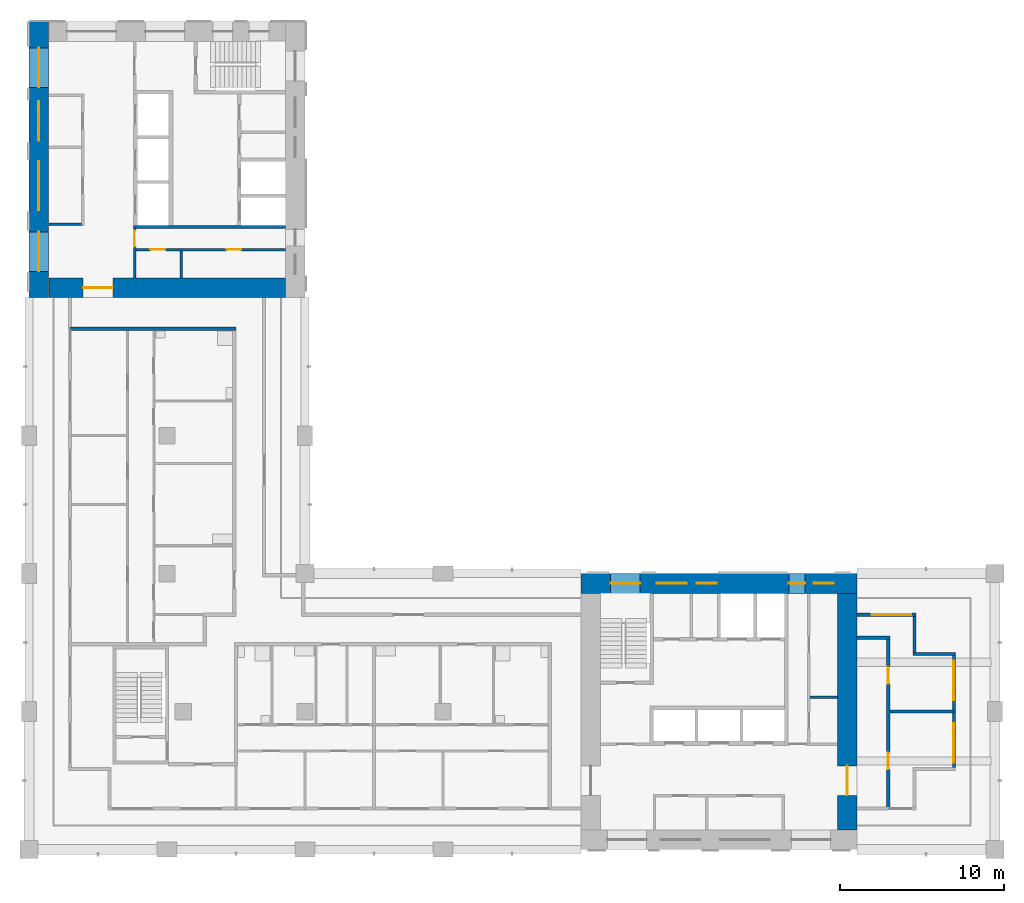
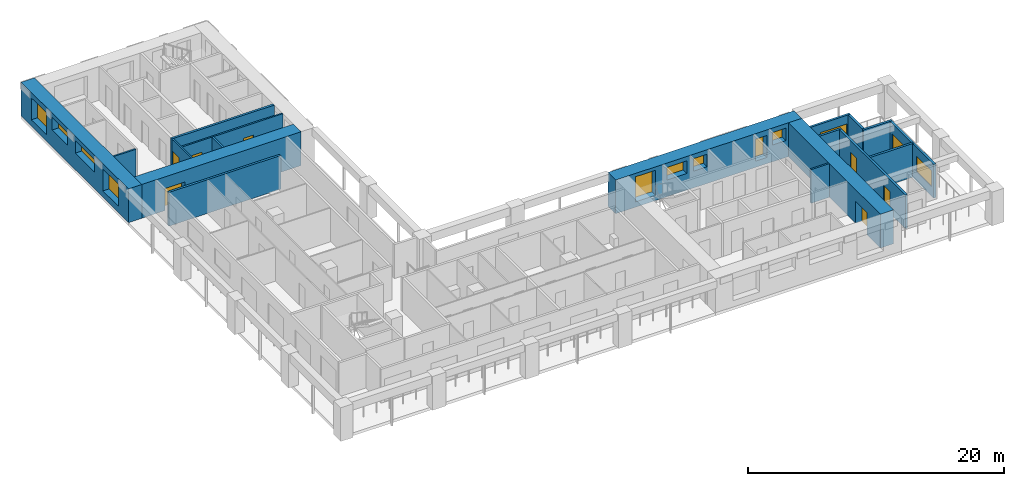
# One storey, part 5 of 11: 18 walls, 11 windows, 8 doors, 19 openings.
"""IFC4 building model written with IfcOpenShell, lengths in metres."""

from ifc_helpers import new_model, si_unit, direction, frame, frame_2d, origin, place, context, subcontext, project, spatial, rectangle, extrude, material, layer, layer_set, type_object, element, fill, save


model = new_model("IFC4")

# Units and contexts
model_context = context("Model", 3, precision=1e-05, world=origin(), true_north=direction((0.0, 1.0)))
body_context = subcontext(model_context, "Body", "Model", "MODEL_VIEW")
ifc_project = project(units=[si_unit("LENGTHUNIT", "METRE"), si_unit("AREAUNIT", "SQUARE_METRE"), si_unit("VOLUMEUNIT", "CUBIC_METRE"), si_unit("PLANEANGLEUNIT", "RADIAN"), si_unit("MASSUNIT", "GRAM", prefix="KILO")], contexts=[model_context])

# Site, building, storey
site_placement = place(None, origin())
site = spatial("IfcSite", under=ifc_project, at=site_placement, CompositionType="ELEMENT")
building_placement = place(site_placement, origin())
building = spatial("IfcBuilding", under=site, at=building_placement, Name="Vermilion Gate Residences", CompositionType="ELEMENT")
storey_placement = place(building_placement, frame((0.0, 0.0, 200.199951171875)))
storey = spatial("IfcBuildingStorey", under=building, at=storey_placement, Name="L52", CompositionType="ELEMENT", Elevation=200.199951171875)

# Walls
ifc_material_1 = material(Name="Masonry blockwork", Category="masonry")
ifc_layer_1 = layer(ifc_material_1, 0.14990234375)
ifc_layer_set_1 = layer_set([ifc_layer_1], Name="BLOCKWORK PARTITION 150 EI 120")
wall_type_1 = type_object("IfcWallType", Name="BLOCKWORK PARTITION 150 EI 120", PredefinedType="PARTITIONING", material=ifc_layer_set_1)
wall_1_placement = place(storey_placement, frame((55.949951171875, 17.659912109375, 0.0), z_axis=(0.0, 0.0, 1.0), x_axis=(1.0, 0.0, 0.0)))
element("IfcWall", 1, at=wall_1_placement, inside=storey, type_object=wall_type_1, Name="Core room partition A52-ES-P0", PredefinedType="PARTITIONING", context=body_context, shape_type="SweptSolid", body=[
    extrude(rectangle(XDim=1.650146484375, YDim=0.14990234375, at=frame_2d((0.8251953125, 0.0))), origin(), (0.0, 0.0, 1.0), 3.219970703125),
])
wall_2_placement = place(storey_placement, frame((9.60009765625, 46.47509765625, 0.0), z_axis=(0.0, 0.0, 1.0), x_axis=(1.0, 0.0, 0.0)))
element("IfcWall", 2, at=wall_2_placement, inside=storey, type_object=wall_type_1, Name="Core room partition B52-RW-E", PredefinedType="PARTITIONING", context=body_context, shape_type="SweptSolid", body=[
    extrude(rectangle(XDim=2.0, YDim=0.14990234375, at=frame_2d((1.0, 0.0))), origin(), (0.0, 0.0, 1.0), 3.219970703125),
])

# Wall, opening, door
wall_3_placement = place(storey_placement, frame((14.824951171875, 46.199951171875, 0.0), z_axis=(0.0, 0.0, 1.0), x_axis=(0.0, -1.0, 0.0)))
wall_3 = element("IfcWall", 3, at=wall_3_placement, inside=storey, type_object=wall_type_1, Name="Core room partition B52-ES-S", PredefinedType="PARTITIONING", context=body_context, shape_type="SweptSolid", body=[
    extrude(rectangle(XDim=3.0, YDim=0.14990234375, at=frame_2d((1.5, 0.0))), origin(), (0.0, 0.0, 1.0), 3.219970703125),
])
opening_1_placement = place(wall_3_placement, frame((0.10009765625, 0.0, 0.0)))
opening_1 = element("IfcOpeningElement", 4, at=opening_1_placement, cuts=wall_3, Name="Opening DK52113", PredefinedType="OPENING", context=body_context, shape_type="SweptSolid", body=[
    extrude(rectangle(XDim=1.0, YDim=2.10009765625, at=frame_2d((0.5, 1.050048828125))), frame((0.0, 0.0849609375, 0.0), z_axis=(0.0, -1.0, 0.0), x_axis=(1.0, 0.0, 0.0)), (0.0, 0.0, 1.0), 0.169921875),
])
ifc_material_2 = material(Name="Steel", Category="steel")
door_type_1 = type_object("IfcDoorType", Name="FIRE DOOR FD60 1000 X 2100", OperationType="SINGLE_SWING_LEFT", PredefinedType="DOOR", material=ifc_material_2)
door_1_placement = place(opening_1_placement, frame((1.0, 0.0, 0.0), z_axis=(0.0, 0.0, 1.0), x_axis=(-1.0, 0.0, 0.0)))
door_1 = element("IfcDoor", 5, at=door_1_placement, inside=storey, type_object=door_type_1, Name="Service corridor door B52", OperationType="SINGLE_SWING_LEFT", OverallHeight=2.10009765625, OverallWidth=1.0, PredefinedType="DOOR", context=body_context, shape_type="SweptSolid", body=[
    extrude(rectangle(XDim=1.0, YDim=2.10009765625, at=frame_2d((0.5, 1.050048828125))), frame((0.0, 0.02490234375, 0.0), z_axis=(0.0, -1.0, 0.0), x_axis=(1.0, 0.0, 0.0)), (0.0, 0.0, 1.0), 0.050048828125),
])
fill(opening_1, door_1)

# Wall
wall_4_placement = place(storey_placement, frame((17.659912109375, 44.85009765625, 0.0), z_axis=(0.0, 0.0, 1.0), x_axis=(0.0, -1.0, 0.0)))
element("IfcWall", 6, at=wall_4_placement, inside=storey, type_object=wall_type_1, Name="Core room partition B52-ES-P0", PredefinedType="PARTITIONING", context=body_context, shape_type="SweptSolid", body=[
    extrude(rectangle(XDim=1.650146484375, YDim=0.14990234375, at=frame_2d((0.8251953125, 0.0))), origin(), (0.0, 0.0, 1.0), 3.219970703125),
])

# Wall, openings, doors
wall_5_placement = place(storey_placement, frame((14.89990234375, 44.925048828125, 0.0), z_axis=(0.0, 0.0, 1.0), x_axis=(1.0, 0.0, 0.0)))
wall_5 = element("IfcWall", 7, at=wall_5_placement, inside=storey, type_object=wall_type_1, Name="Core room partition B52-ES-W", PredefinedType="PARTITIONING", context=body_context, shape_type="SweptSolid", body=[
    extrude(rectangle(XDim=9.10009765625, YDim=0.14990234375, at=frame_2d((4.550048828125, 0.0))), origin(), (0.0, 0.0, 1.0), 3.219970703125),
])
opening_2_placement = place(wall_5_placement, frame((0.892578125, 0.0, 0.0)))
opening_2 = element("IfcOpeningElement", 8, at=opening_2_placement, cuts=wall_5, Name="Opening DK52114", PredefinedType="OPENING", context=body_context, shape_type="SweptSolid", body=[
    extrude(rectangle(XDim=0.89990234375, YDim=2.10009765625, at=frame_2d((0.449951171875, 1.050048828125))), frame((0.0, 0.0849609375, 0.0), z_axis=(0.0, -1.0, 0.0), x_axis=(1.0, 0.0, 0.0)), (0.0, 0.0, 1.0), 0.169921875),
])
opening_3_placement = place(wall_5_placement, frame((5.517578125, 0.0, 0.0)))
opening_3 = element("IfcOpeningElement", 9, at=opening_3_placement, cuts=wall_5, Name="Opening DK52115", PredefinedType="OPENING", context=body_context, shape_type="SweptSolid", body=[
    extrude(rectangle(XDim=0.89990234375, YDim=2.10009765625, at=frame_2d((0.449951171875, 1.050048828125))), frame((0.0, 0.0849609375, 0.0), z_axis=(0.0, -1.0, 0.0), x_axis=(1.0, 0.0, 0.0)), (0.0, 0.0, 1.0), 0.169921875),
])
ifc_material_3 = material(Name="Steel", Category="steel")
door_type_2 = type_object("IfcDoorType", Name="SERVICE ROOM DOOR FD60 900 X 2100", OperationType="SINGLE_SWING_LEFT", PredefinedType="DOOR", material=ifc_material_3)
door_2_placement = place(opening_2_placement, frame((0.89990234375, 0.0, 0.0), z_axis=(0.0, 0.0, 1.0), x_axis=(-1.0, 0.0, 0.0)))
door_2 = element("IfcDoor", 10, at=door_2_placement, inside=storey, type_object=door_type_2, Name="Parcel room B52", OperationType="SINGLE_SWING_RIGHT", OverallHeight=2.10009765625, OverallWidth=0.89990234375, PredefinedType="DOOR", context=body_context, shape_type="SweptSolid", body=[
    extrude(rectangle(XDim=0.89990234375, YDim=2.10009765625, at=frame_2d((0.449951171875, 1.050048828125))), frame((0.0, 0.02490234375, 0.0), z_axis=(0.0, -1.0, 0.0), x_axis=(1.0, 0.0, 0.0)), (0.0, 0.0, 1.0), 0.050048828125),
])
fill(opening_2, door_2)
door_3_placement = place(opening_3_placement, frame((0.89990234375, 0.0, 0.0), z_axis=(0.0, 0.0, 1.0), x_axis=(-1.0, 0.0, 0.0)))
door_3 = element("IfcDoor", 11, at=door_3_placement, inside=storey, type_object=door_type_2, Name="Cleaner's store B52", OperationType="SINGLE_SWING_LEFT", OverallHeight=2.10009765625, OverallWidth=0.89990234375, PredefinedType="DOOR", context=body_context, shape_type="SweptSolid", body=[
    extrude(rectangle(XDim=0.89990234375, YDim=2.10009765625, at=frame_2d((0.449951171875, 1.050048828125))), frame((0.0, 0.02490234375, 0.0), z_axis=(0.0, -1.0, 0.0), x_axis=(1.0, 0.0, 0.0)), (0.0, 0.0, 1.0), 0.050048828125),
])
fill(opening_3, door_3)

# Wall, openings, door, window
ifc_material_4 = material(Name="Insulated steel stud wall with terracotta rainscreen", Category="masonry")
ifc_layer_2 = layer(ifc_material_4, 0.199951171875)
ifc_layer_set_2 = layer_set([ifc_layer_2], Name="EXTERNAL WALL 200 TERRACOTTA RAINSCREEN")
wall_type_2 = type_object("IfcWallType", Name="EXTERNAL WALL 200 TERRACOTTA RAINSCREEN", PredefinedType="SOLIDWALL", material=ifc_layer_set_2)
wall_6_placement = place(storey_placement, frame((64.699951171875, 13.39990234375, 0.0), z_axis=(0.0, 0.0, 1.0), x_axis=(0.0, 1.0, 0.0)))
wall_6 = element("IfcWall", 12, at=wall_6_placement, inside=storey, type_object=wall_type_2, Name="External wall", PredefinedType="SOLIDWALL", context=body_context, shape_type="SweptSolid", body=[
    extrude(rectangle(XDim=6.800048828125, YDim=0.199951171875, at=frame_2d((3.39990234375, 0.0))), origin(), (0.0, 0.0, 1.0), 3.219970703125),
])
opening_4_placement = place(wall_6_placement, frame((0.300048828125, 0.0, 0.89990234375)))
opening_4 = element("IfcOpeningElement", 13, at=opening_4_placement, cuts=wall_6, Name="Opening WE52016", PredefinedType="OPENING", context=body_context, shape_type="SweptSolid", body=[
    extrude(rectangle(XDim=2.39990234375, YDim=1.5, at=frame_2d((1.199951171875, 0.75))), frame((0.0, 0.10986328125, 0.0), z_axis=(0.0, -1.0, 0.0), x_axis=(1.0, 0.0, 0.0)), (0.0, 0.0, 1.0), 0.219970703125),
])
opening_5_placement = place(wall_6_placement, frame((4.10009765625, 0.0, 0.0)))
opening_5 = element("IfcOpeningElement", 14, at=opening_5_placement, cuts=wall_6, Name="Opening DE52019", PredefinedType="OPENING", context=body_context, shape_type="SweptSolid", body=[
    extrude(rectangle(XDim=2.39990234375, YDim=2.199951171875, at=frame_2d((1.199951171875, 1.10009765625))), frame((0.0, 0.10986328125, 0.0), z_axis=(0.0, -1.0, 0.0), x_axis=(1.0, 0.0, 0.0)), (0.0, 0.0, 1.0), 0.219970703125),
])
ifc_material_5 = material(Name="Aluminium and clear glass", Category="aluminium")
door_type_3 = type_object("IfcDoorType", Name="SLIDING GLAZED DOOR 2400 X 2200", OperationType="DOUBLE_DOOR_SLIDING", PredefinedType="DOOR", material=ifc_material_5)
door_4_placement = place(opening_5_placement, origin())
door_4 = element("IfcDoor", 15, at=door_4_placement, inside=storey, type_object=door_type_3, Name="Loggia sliding door", OperationType="DOUBLE_DOOR_SLIDING", OverallHeight=2.199951171875, OverallWidth=2.39990234375, PredefinedType="DOOR", context=body_context, shape_type="SweptSolid", body=[
    extrude(rectangle(XDim=2.39990234375, YDim=2.199951171875, at=frame_2d((1.199951171875, 1.10009765625))), frame((0.0, 0.02490234375, 0.0), z_axis=(0.0, -1.0, 0.0), x_axis=(1.0, 0.0, 0.0)), (0.0, 0.0, 1.0), 0.050048828125),
])
fill(opening_5, door_4)
ifc_material_6 = material(Name="Aluminium and clear glass", Category="aluminium")
window_type_1 = type_object("IfcWindowType", Name="WINDOW 2400 X 1500", PartitioningType="SINGLE_PANEL", PredefinedType="WINDOW", material=ifc_material_6)
window_1_placement = place(opening_4_placement, origin())
window_1 = element("IfcWindow", 16, at=window_1_placement, inside=storey, type_object=window_type_1, Name="Window", OverallHeight=1.5, OverallWidth=2.39990234375, PartitioningType="SINGLE_PANEL", PredefinedType="WINDOW", context=body_context, shape_type="SweptSolid", body=[
    extrude(rectangle(XDim=2.39990234375, YDim=1.5, at=frame_2d((1.199951171875, 0.75))), frame((0.0, 0.030029296875, 0.0), z_axis=(0.0, -1.0, 0.0), x_axis=(1.0, 0.0, 0.0)), (0.0, 0.0, 1.0), 0.06005859375),
])
fill(opening_4, window_1)

# Walls
wall_7_placement = place(storey_placement, frame((64.800048828125, 20.300048828125, 0.0), z_axis=(0.0, 0.0, 1.0), x_axis=(-1.0, 0.0, 0.0)))
element("IfcWall", 17, at=wall_7_placement, inside=storey, type_object=wall_type_2, Name="External wall", PredefinedType="SOLIDWALL", context=body_context, shape_type="SweptSolid", body=[
    extrude(rectangle(XDim=2.60009765625, YDim=0.199951171875, at=frame_2d((1.300048828125, 0.0))), origin(), (0.0, 0.0, 1.0), 3.219970703125),
])
wall_8_placement = place(storey_placement, frame((62.300048828125, 20.39990234375, 0.0), z_axis=(0.0, 0.0, 1.0), x_axis=(0.0, 1.0, 0.0)))
element("IfcWall", 18, at=wall_8_placement, inside=storey, type_object=wall_type_2, Name="External wall", PredefinedType="SOLIDWALL", context=body_context, shape_type="SweptSolid", body=[
    extrude(rectangle(XDim=2.2001953125, YDim=0.199951171875, at=frame_2d((1.10009765625, 0.0))), origin(), (0.0, 0.0, 1.0), 3.219970703125),
])

# Wall, opening, window
wall_9_placement = place(storey_placement, frame((62.39990234375, 22.699951171875, 0.0), z_axis=(0.0, 0.0, 1.0), x_axis=(-1.0, 0.0, 0.0)))
wall_9 = element("IfcWall", 19, at=wall_9_placement, inside=storey, type_object=wall_type_2, Name="External wall", PredefinedType="SOLIDWALL", context=body_context, shape_type="SweptSolid", body=[
    extrude(rectangle(XDim=3.599853515625, YDim=0.199951171875, at=frame_2d((1.7998046875, 0.0))), origin(), (0.0, 0.0, 1.0), 3.219970703125),
])
opening_6_placement = place(wall_9_placement, frame((0.300048828125, 0.0, 0.89990234375)))
opening_6 = element("IfcOpeningElement", 20, at=opening_6_placement, cuts=wall_9, Name="Opening WE52018", PredefinedType="OPENING", context=body_context, shape_type="SweptSolid", body=[
    extrude(rectangle(XDim=2.39990234375, YDim=1.5, at=frame_2d((1.199951171875, 0.75))), frame((0.0, 0.10986328125, 0.0), z_axis=(0.0, -1.0, 0.0), x_axis=(1.0, 0.0, 0.0)), (0.0, 0.0, 1.0), 0.219970703125),
])
window_2_placement = place(opening_6_placement, origin())
window_2 = element("IfcWindow", 21, at=window_2_placement, inside=storey, type_object=window_type_1, Name="Window", OverallHeight=1.5, OverallWidth=2.39990234375, PartitioningType="SINGLE_PANEL", PredefinedType="WINDOW", context=body_context, shape_type="SweptSolid", body=[
    extrude(rectangle(XDim=2.39990234375, YDim=1.5, at=frame_2d((1.199951171875, 0.75))), frame((0.0, 0.030029296875, 0.0), z_axis=(0.0, -1.0, 0.0), x_axis=(1.0, 0.0, 0.0)), (0.0, 0.0, 1.0), 0.06005859375),
])
fill(opening_6, window_2)

# Walls
ifc_material_7 = material(Name="Fire-rated plasterboard on steel studs", Category="steel")
ifc_layer_3 = layer(ifc_material_7, 0.199951171875)
ifc_layer_set_3 = layer_set([ifc_layer_3], Name="PARTY WALL 200 EI 120")
wall_type_3 = type_object("IfcWallType", Name="PARTY WALL 200 EI 120", PredefinedType="PARTITIONING", material=ifc_layer_set_3)
wall_10_placement = place(storey_placement, frame((60.800048828125, 16.800048828125, 0.0), z_axis=(0.0, 0.0, 1.0), x_axis=(1.0, 0.0, 0.0)))
element("IfcWall", 22, at=wall_10_placement, inside=storey, type_object=wall_type_3, Name="Party and corridor wall", PredefinedType="PARTITIONING", context=body_context, shape_type="SweptSolid", body=[
    extrude(rectangle(XDim=3.89990234375, YDim=0.199951171875, at=frame_2d((1.949951171875, 0.0))), origin(), (0.0, 0.0, 1.0), 3.219970703125),
])
wall_11_placement = place(storey_placement, frame((58.800048828125, 21.300048828125, 0.0), z_axis=(0.0, 0.0, 1.0), x_axis=(1.0, 0.0, 0.0)))
element("IfcWall", 23, at=wall_11_placement, inside=storey, type_object=wall_type_3, Name="Party and corridor wall", PredefinedType="PARTITIONING", context=body_context, shape_type="SweptSolid", body=[
    extrude(rectangle(XDim=2.0, YDim=0.199951171875, at=frame_2d((1.0, 0.0))), origin(), (0.0, 0.0, 1.0), 3.219970703125),
])
wall_12_placement = place(storey_placement, frame((10.89990234375, 40.10009765625, 0.0), z_axis=(0.0, 0.0, 1.0), x_axis=(1.0, 0.0, 0.0)))
element("IfcWall", 24, at=wall_12_placement, inside=storey, type_object=wall_type_3, Name="Party and corridor wall", PredefinedType="PARTITIONING", context=body_context, shape_type="SweptSolid", body=[
    extrude(rectangle(XDim=10.10009765625, YDim=0.199951171875, at=frame_2d((5.050048828125, 0.0))), origin(), (0.0, 0.0, 1.0), 3.219970703125),
])

# Wall, openings, doors
wall_13_placement = place(storey_placement, frame((60.699951171875, 10.89990234375, 0.0), z_axis=(0.0, 0.0, 1.0), x_axis=(0.0, 1.0, 0.0)))
wall_13 = element("IfcWall", 25, at=wall_13_placement, inside=storey, type_object=wall_type_3, Name="Party and corridor wall", PredefinedType="PARTITIONING", context=body_context, shape_type="SweptSolid", body=[
    extrude(rectangle(XDim=10.300048828125, YDim=0.199951171875, at=frame_2d((5.14990234375, 0.0))), origin(), (0.0, 0.0, 1.0), 3.219970703125),
])
opening_7_placement = place(wall_13_placement, frame((2.39990234375, 0.0, 0.0)))
opening_7 = element("IfcOpeningElement", 26, at=opening_7_placement, cuts=wall_13, Name="Opening DA52024", PredefinedType="OPENING", context=body_context, shape_type="SweptSolid", body=[
    extrude(rectangle(XDim=1.0, YDim=2.10009765625, at=frame_2d((0.5, 1.050048828125))), frame((0.0, 0.10986328125, 0.0), z_axis=(0.0, -1.0, 0.0), x_axis=(1.0, 0.0, 0.0)), (0.0, 0.0, 1.0), 0.219970703125),
])
opening_8_placement = place(wall_13_placement, frame((7.60009765625, 0.0, 0.0)))
opening_8 = element("IfcOpeningElement", 27, at=opening_8_placement, cuts=wall_13, Name="Opening DA52025", PredefinedType="OPENING", context=body_context, shape_type="SweptSolid", body=[
    extrude(rectangle(XDim=1.0, YDim=2.10009765625, at=frame_2d((0.5, 1.050048828125))), frame((0.0, 0.10986328125, 0.0), z_axis=(0.0, -1.0, 0.0), x_axis=(1.0, 0.0, 0.0)), (0.0, 0.0, 1.0), 0.219970703125),
])
ifc_material_8 = material(Name="Steel", Category="steel")
door_type_4 = type_object("IfcDoorType", Name="ENTRANCE DOOR 1000 X 2100 FD30", OperationType="SINGLE_SWING_LEFT", PredefinedType="DOOR", material=ifc_material_8)
door_5_placement = place(opening_7_placement, frame((1.0, 0.0, 0.0), z_axis=(0.0, 0.0, 1.0), x_axis=(-1.0, 0.0, 0.0)))
door_5 = element("IfcDoor", 28, at=door_5_placement, inside=storey, type_object=door_type_4, Name="Entrance door", OperationType="SINGLE_SWING_RIGHT", OverallHeight=2.10009765625, OverallWidth=1.0, PredefinedType="DOOR", context=body_context, shape_type="SweptSolid", body=[
    extrude(rectangle(XDim=1.0, YDim=2.10009765625, at=frame_2d((0.5, 1.050048828125))), frame((0.0, 0.02490234375, 0.0), z_axis=(0.0, -1.0, 0.0), x_axis=(1.0, 0.0, 0.0)), (0.0, 0.0, 1.0), 0.050048828125),
])
fill(opening_7, door_5)
door_6_placement = place(opening_8_placement, frame((1.0, 0.0, 0.0), z_axis=(0.0, 0.0, 1.0), x_axis=(-1.0, 0.0, 0.0)))
door_6 = element("IfcDoor", 29, at=door_6_placement, inside=storey, type_object=door_type_4, Name="Entrance door", OperationType="SINGLE_SWING_RIGHT", OverallHeight=2.10009765625, OverallWidth=1.0, PredefinedType="DOOR", context=body_context, shape_type="SweptSolid", body=[
    extrude(rectangle(XDim=1.0, YDim=2.10009765625, at=frame_2d((0.5, 1.050048828125))), frame((0.0, 0.02490234375, 0.0), z_axis=(0.0, -1.0, 0.0), x_axis=(1.0, 0.0, 0.0)), (0.0, 0.0, 1.0), 0.050048828125),
])
fill(opening_8, door_6)

# Wall
ifc_material_9 = material(Name="Concrete C60", Category="concrete")
ifc_layer_4 = layer(ifc_material_9, 0.199951171875)
ifc_layer_set_4 = layer_set([ifc_layer_4], Name="RC CORE INTERNAL WALL 200 C60")
wall_type_4 = type_object("IfcWallType", Name="RC CORE INTERNAL WALL 200 C60", PredefinedType="SHEAR", material=ifc_layer_set_4)
wall_14_placement = place(storey_placement, frame((14.75, 46.300048828125, 0.0), z_axis=(0.0, 0.0, 1.0), x_axis=(1.0, 0.0, 0.0)))
element("IfcWall", 30, at=wall_14_placement, inside=storey, type_object=wall_type_4, Name="Core internal wall B52-EDIV", PredefinedType="SHEAR", context=body_context, shape_type="SweptSolid", body=[
    extrude(rectangle(XDim=9.25, YDim=0.199951171875, at=frame_2d((4.625, 0.0))), origin(), (0.0, 0.0, 1.0), 3.219970703125),
])

# Wall, opening, door
ifc_material_10 = material(Name="Concrete C60", Category="concrete")
ifc_layer_5 = layer(ifc_material_10, 1.199951171875)
ifc_layer_set_5 = layer_set([ifc_layer_5], Name="RC CORE WALL 1200 C60")
wall_type_5 = type_object("IfcWallType", Name="RC CORE WALL 1200 C60", PredefinedType="SHEAR", material=ifc_layer_set_5)
wall_15_placement = place(storey_placement, frame((58.199951171875, 9.60009765625, 0.0), z_axis=(0.0, 0.0, 1.0), x_axis=(0.0, 1.0, 0.0)))
wall_15 = element("IfcWall", 31, at=wall_15_placement, inside=storey, type_object=wall_type_5, Name="Core wall A52-OUT-BK", PredefinedType="SHEAR", context=body_context, shape_type="SweptSolid", body=[
    extrude(rectangle(XDim=14.39990234375, YDim=1.199951171875, at=frame_2d((7.199951171875, 0.0))), origin(), (0.0, 0.0, 1.0), 3.219970703125),
])
opening_9_placement = place(wall_15_placement, frame((2.10009765625, 0.0, 0.0)))
opening_9 = element("IfcOpeningElement", 32, at=opening_9_placement, cuts=wall_15, Name="Opening DK52002", PredefinedType="OPENING", context=body_context, shape_type="SweptSolid", body=[
    extrude(rectangle(XDim=1.800048828125, YDim=2.10009765625, at=frame_2d((0.89990234375, 1.050048828125))), frame((0.0, 0.60986328125, 0.0), z_axis=(0.0, -1.0, 0.0), x_axis=(1.0, 0.0, 0.0)), (0.0, 0.0, 1.0), 1.219970703125),
])
ifc_material_11 = material(Name="Steel", Category="steel")
door_type_5 = type_object("IfcDoorType", Name="CORE LOBBY DOOR FD60 1800 X 2100", OperationType="DOUBLE_DOOR_SINGLE_SWING", PredefinedType="DOOR", material=ifc_material_11)
door_7_placement = place(opening_9_placement, origin())
door_7 = element("IfcDoor", 33, at=door_7_placement, inside=storey, type_object=door_type_5, Name="Core lobby door A52", OperationType="DOUBLE_DOOR_SINGLE_SWING", OverallHeight=2.10009765625, OverallWidth=1.800048828125, PredefinedType="DOOR", context=body_context, shape_type="SweptSolid", body=[
    extrude(rectangle(XDim=1.800048828125, YDim=2.10009765625, at=frame_2d((0.89990234375, 1.050048828125))), frame((0.0, 0.02490234375, 0.0), z_axis=(0.0, -1.0, 0.0), x_axis=(1.0, 0.0, 0.0)), (0.0, 0.0, 1.0), 0.050048828125),
])
fill(opening_9, door_7)

wall_16_placement = place(storey_placement, frame((9.60009765625, 42.60009765625, 0.0), z_axis=(0.0, 0.0, 1.0), x_axis=(1.0, 0.0, 0.0)))
wall_16 = element("IfcWall", 34, at=wall_16_placement, inside=storey, type_object=wall_type_5, Name="Core wall B52-OUT-BK", PredefinedType="SHEAR", context=body_context, shape_type="SweptSolid", body=[
    extrude(rectangle(XDim=14.39990234375, YDim=1.199951171875, at=frame_2d((7.199951171875, 0.0))), origin(), (0.0, 0.0, 1.0), 3.219970703125),
])
opening_10_placement = place(wall_16_placement, frame((2.10009765625, 0.0, 0.0)))
opening_10 = element("IfcOpeningElement", 35, at=opening_10_placement, cuts=wall_16, Name="Opening DK52101", PredefinedType="OPENING", context=body_context, shape_type="SweptSolid", body=[
    extrude(rectangle(XDim=1.800048828125, YDim=2.10009765625, at=frame_2d((0.89990234375, 1.050048828125))), frame((0.0, 0.60986328125, 0.0), z_axis=(0.0, -1.0, 0.0), x_axis=(1.0, 0.0, 0.0)), (0.0, 0.0, 1.0), 1.219970703125),
])
door_8_placement = place(opening_10_placement, frame((1.800048828125, 0.0, 0.0), z_axis=(0.0, 0.0, 1.0), x_axis=(-1.0, 0.0, 0.0)))
door_8 = element("IfcDoor", 36, at=door_8_placement, inside=storey, type_object=door_type_5, Name="Core lobby door B52", OperationType="DOUBLE_DOOR_SINGLE_SWING", OverallHeight=2.10009765625, OverallWidth=1.800048828125, PredefinedType="DOOR", context=body_context, shape_type="SweptSolid", body=[
    extrude(rectangle(XDim=1.800048828125, YDim=2.10009765625, at=frame_2d((0.89990234375, 1.050048828125))), frame((0.0, 0.02490234375, 0.0), z_axis=(0.0, -1.0, 0.0), x_axis=(1.0, 0.0, 0.0)), (0.0, 0.0, 1.0), 0.050048828125),
])
fill(opening_10, door_8)

# Wall, openings, windows
ifc_material_12 = material(Name="Concrete C60 red-oxide pigmented", Category="concrete")
ifc_layer_6 = layer(ifc_material_12, 1.199951171875)
ifc_layer_set_6 = layer_set([ifc_layer_6], Name="RC CORE WALL 1200 C60 RED OXIDE")
wall_type_6 = type_object("IfcWallType", Name="RC CORE WALL 1200 C60 RED OXIDE", PredefinedType="SHEAR", material=ifc_layer_set_6)
wall_17_placement = place(storey_placement, frame((42.0, 24.60009765625, 0.0), z_axis=(0.0, 0.0, 1.0), x_axis=(1.0, 0.0, 0.0)))
wall_17 = element("IfcWall", 37, at=wall_17_placement, inside=storey, type_object=wall_type_6, Name="Core wall A52-OUT-B1", PredefinedType="SHEAR", context=body_context, shape_type="SweptSolid", body=[
    extrude(rectangle(XDim=16.800048828125, YDim=1.199951171875, at=frame_2d((8.39990234375, 0.0))), origin(), (0.0, 0.0, 1.0), 3.219970703125),
])
opening_11_placement = place(wall_17_placement, frame((1.800048828125, 0.0, 0.5)))
opening_11 = element("IfcOpeningElement", 38, at=opening_11_placement, cuts=wall_17, Name="Opening WKA5205", PredefinedType="OPENING", context=body_context, shape_type="SweptSolid", body=[
    extrude(rectangle(XDim=1.800048828125, YDim=2.39990234375, at=frame_2d((0.89990234375, 1.199951171875))), frame((0.0, 0.60986328125, 0.0), z_axis=(0.0, -1.0, 0.0), x_axis=(1.0, 0.0, 0.0)), (0.0, 0.0, 1.0), 1.219970703125),
])
opening_12_placement = place(wall_17_placement, frame((4.625, 0.0, 1.60009765625)))
opening_12 = element("IfcOpeningElement", 39, at=opening_12_placement, cuts=wall_17, Name="Opening WKA5206", PredefinedType="OPENING", context=body_context, shape_type="SweptSolid", body=[
    extrude(rectangle(XDim=1.800048828125, YDim=1.199951171875, at=frame_2d((0.89990234375, 0.60009765625))), frame((0.0, 0.60986328125, 0.0), z_axis=(0.0, -1.0, 0.0), x_axis=(1.0, 0.0, 0.0)), (0.0, 0.0, 1.0), 1.219970703125),
])
opening_13_placement = place(wall_17_placement, frame((7.050048828125, 0.0, 1.60009765625)))
opening_13 = element("IfcOpeningElement", 40, at=opening_13_placement, cuts=wall_17, Name="Opening WKA5207", PredefinedType="OPENING", context=body_context, shape_type="SweptSolid", body=[
    extrude(rectangle(XDim=1.199951171875, YDim=1.199951171875, at=frame_2d((0.60009765625, 0.60009765625))), frame((0.0, 0.60986328125, 0.0), z_axis=(0.0, -1.0, 0.0), x_axis=(1.0, 0.0, 0.0)), (0.0, 0.0, 1.0), 1.219970703125),
])
opening_14_placement = place(wall_17_placement, frame((12.64990234375, 0.0, 0.60009765625)))
opening_14 = element("IfcOpeningElement", 41, at=opening_14_placement, cuts=wall_17, Name="Opening WKA5208", PredefinedType="OPENING", context=body_context, shape_type="SweptSolid", body=[
    extrude(rectangle(XDim=1.0, YDim=2.10009765625, at=frame_2d((0.5, 1.050048828125))), frame((0.0, 0.60986328125, 0.0), z_axis=(0.0, -1.0, 0.0), x_axis=(1.0, 0.0, 0.0)), (0.0, 0.0, 1.0), 1.219970703125),
])
opening_15_placement = place(wall_17_placement, frame((14.175048828125, 0.0, 1.60009765625)))
opening_15 = element("IfcOpeningElement", 42, at=opening_15_placement, cuts=wall_17, Name="Opening WKA5209", PredefinedType="OPENING", context=body_context, shape_type="SweptSolid", body=[
    extrude(rectangle(XDim=1.199951171875, YDim=1.199951171875, at=frame_2d((0.60009765625, 0.60009765625))), frame((0.0, 0.60986328125, 0.0), z_axis=(0.0, -1.0, 0.0), x_axis=(1.0, 0.0, 0.0)), (0.0, 0.0, 1.0), 1.219970703125),
])
ifc_material_13 = material(Name="Aluminium and clear glass", Category="aluminium")
window_type_2 = type_object("IfcWindowType", Name="CORE CORRIDOR WINDOW 1000 X 2100", PartitioningType="SINGLE_PANEL", PredefinedType="WINDOW", material=ifc_material_13)
window_3_placement = place(opening_14_placement, origin())
window_3 = element("IfcWindow", 43, at=window_3_placement, inside=storey, type_object=window_type_2, Name="Core corridor window", OverallHeight=2.10009765625, OverallWidth=1.0, PartitioningType="SINGLE_PANEL", PredefinedType="WINDOW", context=body_context, shape_type="SweptSolid", body=[
    extrude(rectangle(XDim=1.0, YDim=2.10009765625, at=frame_2d((0.5, 1.050048828125))), frame((0.0, 0.030029296875, 0.0), z_axis=(0.0, -1.0, 0.0), x_axis=(1.0, 0.0, 0.0)), (0.0, 0.0, 1.0), 0.06005859375),
])
fill(opening_14, window_3)
ifc_material_14 = material(Name="Aluminium frame with louvre blades", Category="aluminium")
window_type_3 = type_object("IfcWindowType", Name="CORE LOUVRE 1200 X 1200", PartitioningType="SINGLE_PANEL", PredefinedType="WINDOW", material=ifc_material_14)
window_4_placement = place(opening_13_placement, origin())
window_4 = element("IfcWindow", 44, at=window_4_placement, inside=storey, type_object=window_type_3, Name="Core louvre", OverallHeight=1.199951171875, OverallWidth=1.199951171875, PartitioningType="SINGLE_PANEL", PredefinedType="WINDOW", context=body_context, shape_type="SweptSolid", body=[
    extrude(rectangle(XDim=1.199951171875, YDim=1.199951171875, at=frame_2d((0.60009765625, 0.60009765625))), frame((0.0, 0.030029296875, 0.0), z_axis=(0.0, -1.0, 0.0), x_axis=(1.0, 0.0, 0.0)), (0.0, 0.0, 1.0), 0.06005859375),
])
fill(opening_13, window_4)
window_5_placement = place(opening_15_placement, origin())
window_5 = element("IfcWindow", 45, at=window_5_placement, inside=storey, type_object=window_type_3, Name="Core louvre", OverallHeight=1.199951171875, OverallWidth=1.199951171875, PartitioningType="SINGLE_PANEL", PredefinedType="WINDOW", context=body_context, shape_type="SweptSolid", body=[
    extrude(rectangle(XDim=1.199951171875, YDim=1.199951171875, at=frame_2d((0.60009765625, 0.60009765625))), frame((0.0, 0.030029296875, 0.0), z_axis=(0.0, -1.0, 0.0), x_axis=(1.0, 0.0, 0.0)), (0.0, 0.0, 1.0), 0.06005859375),
])
fill(opening_15, window_5)
ifc_material_15 = material(Name="Aluminium frame with louvre blades", Category="aluminium")
window_type_4 = type_object("IfcWindowType", Name="CORE LOUVRE 1800 X 1200", PartitioningType="SINGLE_PANEL", PredefinedType="WINDOW", material=ifc_material_15)
window_6_placement = place(opening_12_placement, origin())
window_6 = element("IfcWindow", 46, at=window_6_placement, inside=storey, type_object=window_type_4, Name="Core louvre", OverallHeight=1.199951171875, OverallWidth=1.800048828125, PartitioningType="SINGLE_PANEL", PredefinedType="WINDOW", context=body_context, shape_type="SweptSolid", body=[
    extrude(rectangle(XDim=1.800048828125, YDim=1.199951171875, at=frame_2d((0.89990234375, 0.60009765625))), frame((0.0, 0.030029296875, 0.0), z_axis=(0.0, -1.0, 0.0), x_axis=(1.0, 0.0, 0.0)), (0.0, 0.0, 1.0), 0.06005859375),
])
fill(opening_12, window_6)
ifc_material_16 = material(Name="Aluminium and clear glass", Category="aluminium")
window_type_5 = type_object("IfcWindowType", Name="CORE STAIR WINDOW 1800 X 2400", PartitioningType="SINGLE_PANEL", PredefinedType="WINDOW", material=ifc_material_16)
window_7_placement = place(opening_11_placement, origin())
window_7 = element("IfcWindow", 47, at=window_7_placement, inside=storey, type_object=window_type_5, Name="Core stair window", OverallHeight=2.39990234375, OverallWidth=1.800048828125, PartitioningType="SINGLE_PANEL", PredefinedType="WINDOW", context=body_context, shape_type="SweptSolid", body=[
    extrude(rectangle(XDim=1.800048828125, YDim=2.39990234375, at=frame_2d((0.89990234375, 1.199951171875))), frame((0.0, 0.030029296875, 0.0), z_axis=(0.0, -1.0, 0.0), x_axis=(1.0, 0.0, 0.0)), (0.0, 0.0, 1.0), 0.06005859375),
])
fill(opening_11, window_7)

wall_18_placement = place(storey_placement, frame((9.0, 58.800048828125, 0.0), z_axis=(0.0, 0.0, 1.0), x_axis=(0.0, -1.0, 0.0)))
wall_18 = element("IfcWall", 48, at=wall_18_placement, inside=storey, type_object=wall_type_6, Name="Core wall B52-OUT-B0", PredefinedType="SHEAR", context=body_context, shape_type="SweptSolid", body=[
    extrude(rectangle(XDim=16.800048828125, YDim=1.199951171875, at=frame_2d((8.39990234375, 0.0))), origin(), (0.0, 0.0, 1.0), 3.219970703125),
])
opening_16_placement = place(wall_18_placement, frame((1.60009765625, 0.0, 0.60009765625)))
opening_16 = element("IfcOpeningElement", 49, at=opening_16_placement, cuts=wall_18, Name="Opening WKB5201", PredefinedType="OPENING", context=body_context, shape_type="SweptSolid", body=[
    extrude(rectangle(XDim=2.39990234375, YDim=2.10009765625, at=frame_2d((1.199951171875, 1.050048828125))), frame((0.0, 0.60986328125, 0.0), z_axis=(0.0, -1.0, 0.0), x_axis=(1.0, 0.0, 0.0)), (0.0, 0.0, 1.0), 1.219970703125),
])
opening_17_placement = place(wall_18_placement, frame((4.860107421875, 0.0, 1.60009765625)))
opening_17 = element("IfcOpeningElement", 50, at=opening_17_placement, cuts=wall_18, Name="Opening WKB5202", PredefinedType="OPENING", context=body_context, shape_type="SweptSolid", body=[
    extrude(rectangle(XDim=2.39990234375, YDim=1.199951171875, at=frame_2d((1.199951171875, 0.60009765625))), frame((0.0, 0.60986328125, 0.0), z_axis=(0.0, -1.0, 0.0), x_axis=(1.0, 0.0, 0.0)), (0.0, 0.0, 1.0), 1.219970703125),
])
opening_18_placement = place(wall_18_placement, frame((8.485107421875, 0.0, 1.60009765625)))
opening_18 = element("IfcOpeningElement", 51, at=opening_18_placement, cuts=wall_18, Name="Opening WKB5203", PredefinedType="OPENING", context=body_context, shape_type="SweptSolid", body=[
    extrude(rectangle(XDim=3.0, YDim=1.199951171875, at=frame_2d((1.5, 0.60009765625))), frame((0.0, 0.60986328125, 0.0), z_axis=(0.0, -1.0, 0.0), x_axis=(1.0, 0.0, 0.0)), (0.0, 0.0, 1.0), 1.219970703125),
])
opening_19_placement = place(wall_18_placement, frame((12.800048828125, 0.0, 0.60009765625)))
opening_19 = element("IfcOpeningElement", 52, at=opening_19_placement, cuts=wall_18, Name="Opening WKB5204", PredefinedType="OPENING", context=body_context, shape_type="SweptSolid", body=[
    extrude(rectangle(XDim=2.39990234375, YDim=2.10009765625, at=frame_2d((1.199951171875, 1.050048828125))), frame((0.0, 0.60986328125, 0.0), z_axis=(0.0, -1.0, 0.0), x_axis=(1.0, 0.0, 0.0)), (0.0, 0.0, 1.0), 1.219970703125),
])
ifc_material_17 = material(Name="Aluminium and clear glass", Category="aluminium")
window_type_6 = type_object("IfcWindowType", Name="CORE LOBBY WINDOW 2400 X 2100", PartitioningType="SINGLE_PANEL", PredefinedType="WINDOW", material=ifc_material_17)
window_8_placement = place(opening_16_placement, origin())
window_8 = element("IfcWindow", 53, at=window_8_placement, inside=storey, type_object=window_type_6, Name="Core lobby window", OverallHeight=2.10009765625, OverallWidth=2.39990234375, PartitioningType="SINGLE_PANEL", PredefinedType="WINDOW", context=body_context, shape_type="SweptSolid", body=[
    extrude(rectangle(XDim=2.39990234375, YDim=2.10009765625, at=frame_2d((1.199951171875, 1.050048828125))), frame((0.0, 0.030029296875, 0.0), z_axis=(0.0, -1.0, 0.0), x_axis=(1.0, 0.0, 0.0)), (0.0, 0.0, 1.0), 0.06005859375),
])
fill(opening_16, window_8)
window_9_placement = place(opening_19_placement, origin())
window_9 = element("IfcWindow", 54, at=window_9_placement, inside=storey, type_object=window_type_6, Name="Core lobby window", OverallHeight=2.10009765625, OverallWidth=2.39990234375, PartitioningType="SINGLE_PANEL", PredefinedType="WINDOW", context=body_context, shape_type="SweptSolid", body=[
    extrude(rectangle(XDim=2.39990234375, YDim=2.10009765625, at=frame_2d((1.199951171875, 1.050048828125))), frame((0.0, 0.030029296875, 0.0), z_axis=(0.0, -1.0, 0.0), x_axis=(1.0, 0.0, 0.0)), (0.0, 0.0, 1.0), 0.06005859375),
])
fill(opening_19, window_9)
ifc_material_18 = material(Name="Aluminium frame with louvre blades", Category="aluminium")
window_type_7 = type_object("IfcWindowType", Name="CORE LOUVRE 2400 X 1200", PartitioningType="SINGLE_PANEL", PredefinedType="WINDOW", material=ifc_material_18)
window_10_placement = place(opening_17_placement, origin())
window_10 = element("IfcWindow", 55, at=window_10_placement, inside=storey, type_object=window_type_7, Name="Core louvre", OverallHeight=1.199951171875, OverallWidth=2.39990234375, PartitioningType="SINGLE_PANEL", PredefinedType="WINDOW", context=body_context, shape_type="SweptSolid", body=[
    extrude(rectangle(XDim=2.39990234375, YDim=1.199951171875, at=frame_2d((1.199951171875, 0.60009765625))), frame((0.0, 0.030029296875, 0.0), z_axis=(0.0, -1.0, 0.0), x_axis=(1.0, 0.0, 0.0)), (0.0, 0.0, 1.0), 0.06005859375),
])
fill(opening_17, window_10)
ifc_material_19 = material(Name="Aluminium frame with louvre blades", Category="aluminium")
window_type_8 = type_object("IfcWindowType", Name="CORE LOUVRE 3000 X 1200", PartitioningType="SINGLE_PANEL", PredefinedType="WINDOW", material=ifc_material_19)
window_11_placement = place(opening_18_placement, origin())
window_11 = element("IfcWindow", 56, at=window_11_placement, inside=storey, type_object=window_type_8, Name="Core louvre", OverallHeight=1.199951171875, OverallWidth=3.0, PartitioningType="SINGLE_PANEL", PredefinedType="WINDOW", context=body_context, shape_type="SweptSolid", body=[
    extrude(rectangle(XDim=3.0, YDim=1.199951171875, at=frame_2d((1.5, 0.60009765625))), frame((0.0, 0.030029296875, 0.0), z_axis=(0.0, -1.0, 0.0), x_axis=(1.0, 0.0, 0.0)), (0.0, 0.0, 1.0), 0.06005859375),
])
fill(opening_18, window_11)

save(model, "model.ifc")
